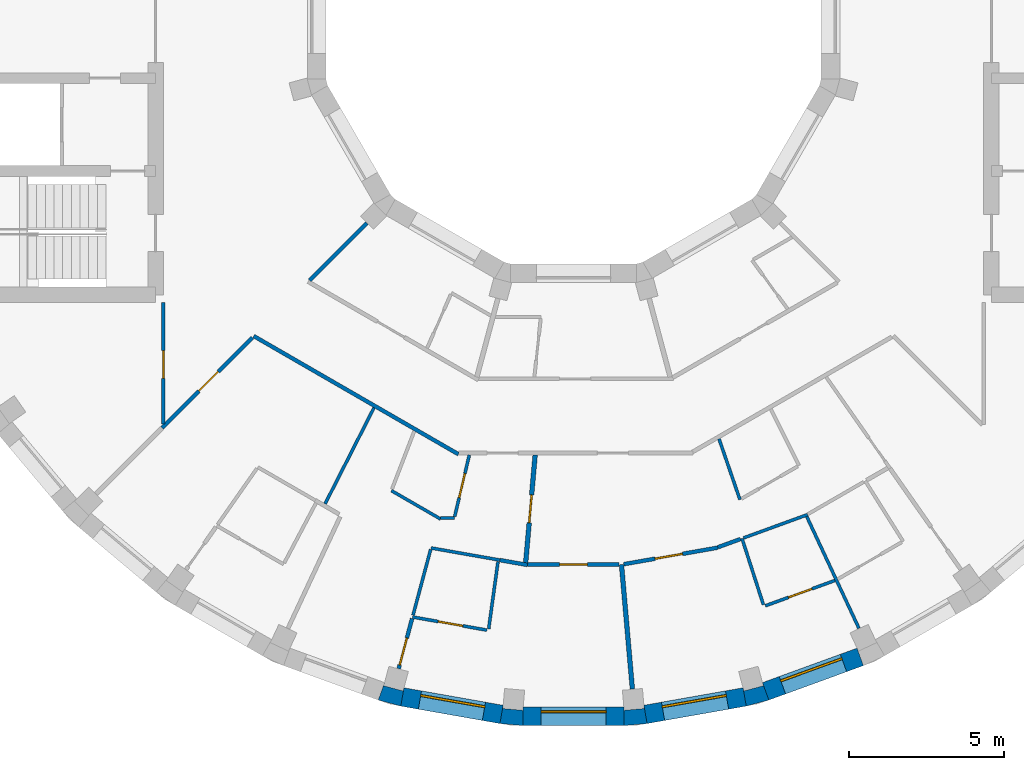
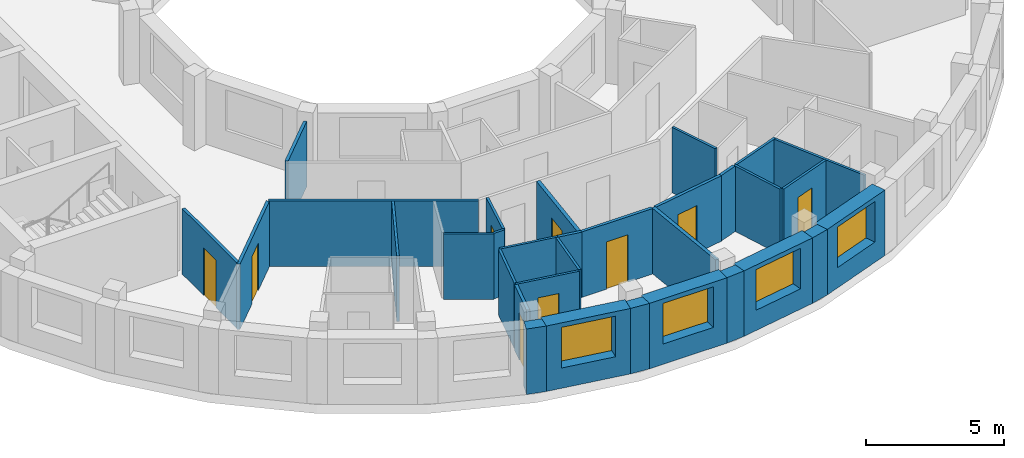
# One storey, part 4 of 12: 32 walls, 9 doors, 4 windows, 13 openings.
"""IFC4 building model written with IfcOpenShell, lengths in metres."""

from ifc_helpers import new_model, si_unit, direction, frame, frame_2d, origin, place, context, subcontext, project, spatial, polyline, rectangle, outline, extrude, material, layer, layer_set, type_object, element, fill, save


model = new_model("IFC4")

# Units and contexts
model_context = context("Model", 3, precision=1e-05, world=origin(), true_north=direction((0.0, 1.0)))
body_context = subcontext(model_context, "Body", "Model", "MODEL_VIEW")
ifc_project = project(units=[si_unit("LENGTHUNIT", "METRE"), si_unit("AREAUNIT", "SQUARE_METRE"), si_unit("VOLUMEUNIT", "CUBIC_METRE"), si_unit("PLANEANGLEUNIT", "RADIAN"), si_unit("MASSUNIT", "GRAM", prefix="KILO")], contexts=[model_context])

# Site, building, storey
site_placement = place(None, origin())
site = spatial("IfcSite", under=ifc_project, at=site_placement, CompositionType="ELEMENT")
building_placement = place(site_placement, origin())
building = spatial("IfcBuilding", under=site, at=building_placement, Name="Saqina Gate Tower", CompositionType="ELEMENT")
storey_placement = place(building_placement, frame((0.0, 0.0, 229.699951171875)))
storey = spatial("IfcBuildingStorey", under=building, at=storey_placement, Name="L65", CompositionType="ELEMENT", Elevation=229.699951171875)

# Walls
ifc_material_1 = material(Name="Brick masonry (buff)", Category="masonry")
wall_type_1 = type_object("IfcWallType", Name="BRICK PIER COPING BUFF", PredefinedType="SOLIDWALL", material=ifc_material_1)
wall_1_placement = place(storey_placement, origin())
element("IfcWall", 1, at=wall_1_placement, inside=storey, type_object=wall_type_1, Name="Pier cap L65 column 26", PredefinedType="SOLIDWALL", context=body_context, shape_type="SweptSolid", body=[
    extrude(outline(polyline([(-5.579833984375, -22.281982421875), (-5.4755859375, -21.691162109375), (-5.5029296875, -21.793212890625), (-6.130859375, -21.625), (-6.103515625, -21.52294921875), (-6.30859375, -22.0869140625), (-5.579833984375, -22.281982421875)])), origin(), (0.0, 0.0, 1.0), 2.900146484375),
])
wall_2_placement = place(storey_placement, origin())
element("IfcWall", 2, at=wall_2_placement, inside=storey, type_object=wall_type_1, Name="Pier cap L65 column 27", PredefinedType="SOLIDWALL", context=body_context, shape_type="SweptSolid", body=[
    extrude(outline(polyline([(-2.377685546875, -22.8466796875), (-1.625732421875, -22.91259765625), (-1.625732421875, -22.3125), (-1.635009765625, -22.417724609375), (-2.28271484375, -22.361083984375), (-2.2734375, -22.255859375), (-2.377685546875, -22.8466796875)])), origin(), (0.0, 0.0, 1.0), 2.900146484375),
])
wall_3_placement = place(storey_placement, origin())
element("IfcWall", 3, at=wall_3_placement, inside=storey, type_object=wall_type_1, Name="Pier cap L65 column 28", PredefinedType="SOLIDWALL", context=body_context, shape_type="SweptSolid", body=[
    extrude(outline(polyline([(1.625732421875, -22.91259765625), (2.377685546875, -22.8466796875), (2.2734375, -22.255859375), (2.28271484375, -22.361083984375), (1.635009765625, -22.417724609375), (1.625732421875, -22.3125), (1.625732421875, -22.91259765625)])), origin(), (0.0, 0.0, 1.0), 2.900146484375),
])
wall_4_placement = place(storey_placement, origin())
element("IfcWall", 4, at=wall_4_placement, inside=storey, type_object=wall_type_1, Name="Pier cap L65 column 29", PredefinedType="SOLIDWALL", context=body_context, shape_type="SweptSolid", body=[
    extrude(outline(polyline([(6.30859375, -22.0869140625), (6.103515625, -21.52294921875), (6.130859375, -21.625), (5.5029296875, -21.793212890625), (5.4755859375, -21.691162109375), (5.579833984375, -22.281982421875), (6.30859375, -22.0869140625)])), origin(), (0.0, 0.0, 1.0), 2.900146484375),
])

# Wall, opening, window
ifc_material_2 = material(Name="Brick masonry (buff)", Category="masonry")
ifc_layer_1 = layer(ifc_material_2, 0.60009765625)
ifc_layer_set_1 = layer_set([ifc_layer_1], Name="FW-BRICK-BUFF")
wall_type_2 = type_object("IfcWallType", Name="FW-BRICK-BUFF", PredefinedType="SOLIDWALL", material=ifc_layer_set_1)
wall_5_placement = place(storey_placement, frame((-5.52783203125, -21.986572265625, 0.0), z_axis=(0.0, 0.0, 1.0), x_axis=(0.984806225186, -0.173656842178, 0.0)))
wall_5 = element("IfcWall", 5, at=wall_5_placement, inside=storey, type_object=wall_type_2, Name="Facade wall L65 facet 26", PredefinedType="SOLIDWALL", context=body_context, shape_type="SweptSolid", body=[
    extrude(rectangle(XDim=3.251708984375, YDim=0.60009765625, at=frame_2d((1.6259765625, 0.0))), origin(), (0.0, 0.0, 1.0), 2.900146484375),
])
opening_1_placement = place(wall_5_placement, frame((0.57568359375, 0.0, 0.89990234375)))
opening_1 = element("IfcOpeningElement", 6, at=opening_1_placement, cuts=wall_5, Name="Opening G19-W15", PredefinedType="OPENING", context=body_context, shape_type="SweptSolid", body=[
    extrude(rectangle(XDim=2.10009765625, YDim=1.800048828125, at=frame_2d((1.050048828125, 0.89990234375))), frame((0.0, 0.31201171875, 0.0), z_axis=(0.0, -1.0, 0.0), x_axis=(1.0, 0.0, 0.0)), (0.0, 0.0, 1.0), 0.6240234375),
])
ifc_material_3 = material(Name="Aluminium glazing", Category="aluminium")
window_type = type_object("IfcWindowType", Name="WN-D", PartitioningType="SINGLE_PANEL", PredefinedType="WINDOW", material=ifc_material_3)
window_1_placement = place(opening_1_placement, origin())
window_1 = element("IfcWindow", 7, at=window_1_placement, inside=storey, type_object=window_type, Name="Window L65 facet 26", OverallHeight=1.800048828125, OverallWidth=2.10009765625, PartitioningType="SINGLE_PANEL", PredefinedType="WINDOW", context=body_context, shape_type="SweptSolid", body=[
    extrude(rectangle(XDim=2.10009765625, YDim=1.800048828125, at=frame_2d((1.050048828125, 0.89990234375))), frame((0.0, 0.179931640625, 0.0), z_axis=(0.0, -1.0, 0.0), x_axis=(1.0, 0.0, 0.0)), (0.0, 0.0, 1.0), 0.06005859375),
])
fill(opening_1, window_1)

wall_6_placement = place(storey_placement, frame((-1.625732421875, -22.612548828125, 0.0), z_axis=(0.0, 0.0, 1.0), x_axis=(1.0, 0.0, 0.0)))
wall_6 = element("IfcWall", 8, at=wall_6_placement, inside=storey, type_object=wall_type_2, Name="Facade wall L65 facet 27", PredefinedType="SOLIDWALL", context=body_context, shape_type="SweptSolid", body=[
    extrude(rectangle(XDim=3.25146484375, YDim=0.60009765625, at=frame_2d((1.625732421875, 0.0))), origin(), (0.0, 0.0, 1.0), 2.900146484375),
])
opening_2_placement = place(wall_6_placement, frame((0.57568359375, 0.0, 0.89990234375)))
opening_2 = element("IfcOpeningElement", 9, at=opening_2_placement, cuts=wall_6, Name="Opening G19-W16", PredefinedType="OPENING", context=body_context, shape_type="SweptSolid", body=[
    extrude(rectangle(XDim=2.10009765625, YDim=1.800048828125, at=frame_2d((1.050048828125, 0.89990234375))), frame((0.0, 0.31201171875, 0.0), z_axis=(0.0, -1.0, 0.0), x_axis=(1.0, 0.0, 0.0)), (0.0, 0.0, 1.0), 0.6240234375),
])
window_2_placement = place(opening_2_placement, origin())
window_2 = element("IfcWindow", 10, at=window_2_placement, inside=storey, type_object=window_type, Name="Window L65 facet 27", OverallHeight=1.800048828125, OverallWidth=2.10009765625, PartitioningType="SINGLE_PANEL", PredefinedType="WINDOW", context=body_context, shape_type="SweptSolid", body=[
    extrude(rectangle(XDim=2.10009765625, YDim=1.800048828125, at=frame_2d((1.050048828125, 0.89990234375))), frame((0.0, 0.179931640625, 0.0), z_axis=(0.0, -1.0, 0.0), x_axis=(1.0, 0.0, 0.0)), (0.0, 0.0, 1.0), 0.06005859375),
])
fill(opening_2, window_2)

wall_7_placement = place(storey_placement, frame((2.325439453125, -22.55126953125, 0.0), z_axis=(0.0, 0.0, 1.0), x_axis=(0.984806225186, 0.173656842178, 0.0)))
wall_7 = element("IfcWall", 11, at=wall_7_placement, inside=storey, type_object=wall_type_2, Name="Facade wall L65 facet 28", PredefinedType="SOLIDWALL", context=body_context, shape_type="SweptSolid", body=[
    extrude(rectangle(XDim=3.251708984375, YDim=0.60009765625, at=frame_2d((1.6259765625, 0.0))), origin(), (0.0, 0.0, 1.0), 2.900146484375),
])
opening_3_placement = place(wall_7_placement, frame((0.57568359375, 0.0, 0.89990234375)))
opening_3 = element("IfcOpeningElement", 12, at=opening_3_placement, cuts=wall_7, Name="Opening G19-W17", PredefinedType="OPENING", context=body_context, shape_type="SweptSolid", body=[
    extrude(rectangle(XDim=2.10009765625, YDim=1.800048828125, at=frame_2d((1.050048828125, 0.89990234375))), frame((0.0, 0.31201171875, 0.0), z_axis=(0.0, -1.0, 0.0), x_axis=(1.0, 0.0, 0.0)), (0.0, 0.0, 1.0), 0.6240234375),
])
window_3_placement = place(opening_3_placement, origin())
window_3 = element("IfcWindow", 13, at=window_3_placement, inside=storey, type_object=window_type, Name="Window L65 facet 28", OverallHeight=1.800048828125, OverallWidth=2.10009765625, PartitioningType="SINGLE_PANEL", PredefinedType="WINDOW", context=body_context, shape_type="SweptSolid", body=[
    extrude(rectangle(XDim=2.10009765625, YDim=1.800048828125, at=frame_2d((1.050048828125, 0.89990234375))), frame((0.0, 0.179931640625, 0.0), z_axis=(0.0, -1.0, 0.0), x_axis=(1.0, 0.0, 0.0)), (0.0, 0.0, 1.0), 0.06005859375),
])
fill(opening_3, window_3)

wall_8_placement = place(storey_placement, frame((6.2060546875, -21.804931640625, 0.0), z_axis=(0.0, 0.0, 1.0), x_axis=(0.939679383794, 0.342056509473, 0.0)))
wall_8 = element("IfcWall", 14, at=wall_8_placement, inside=storey, type_object=wall_type_2, Name="Facade wall L65 facet 29", PredefinedType="SOLIDWALL", context=body_context, shape_type="SweptSolid", body=[
    extrude(rectangle(XDim=3.251708984375, YDim=0.60009765625, at=frame_2d((1.6259765625, 0.0))), origin(), (0.0, 0.0, 1.0), 2.900146484375),
])
opening_4_placement = place(wall_8_placement, frame((0.57568359375, 0.0, 0.89990234375)))
opening_4 = element("IfcOpeningElement", 15, at=opening_4_placement, cuts=wall_8, Name="Opening G19-W18", PredefinedType="OPENING", context=body_context, shape_type="SweptSolid", body=[
    extrude(rectangle(XDim=2.10009765625, YDim=1.800048828125, at=frame_2d((1.050048828125, 0.89990234375))), frame((0.0, 0.31201171875, 0.0), z_axis=(0.0, -1.0, 0.0), x_axis=(1.0, 0.0, 0.0)), (0.0, 0.0, 1.0), 0.6240234375),
])
window_4_placement = place(opening_4_placement, origin())
window_4 = element("IfcWindow", 16, at=window_4_placement, inside=storey, type_object=window_type, Name="Window L65 facet 29", OverallHeight=1.800048828125, OverallWidth=2.10009765625, PartitioningType="SINGLE_PANEL", PredefinedType="WINDOW", context=body_context, shape_type="SweptSolid", body=[
    extrude(rectangle(XDim=2.10009765625, YDim=1.800048828125, at=frame_2d((1.050048828125, 0.89990234375))), frame((0.0, 0.179931640625, 0.0), z_axis=(0.0, -1.0, 0.0), x_axis=(1.0, 0.0, 0.0)), (0.0, 0.0, 1.0), 0.06005859375),
])
fill(opening_4, window_4)

# Walls
ifc_material_4 = material(Name="Gypsum board on steel studs, 100 mm", Category="steel")
ifc_layer_2 = layer(ifc_material_4, 0.10009765625)
ifc_layer_set_2 = layer_set([ifc_layer_2], Name="PARTITION 100")
wall_type_3 = type_object("IfcWallType", Name="PARTITION 100", PredefinedType="PARTITIONING", material=ifc_layer_set_2)
wall_9_placement = place(storey_placement, frame((5.443115234375, -16.867919921875, 0.0), z_axis=(0.0, 0.0, 1.0), x_axis=(0.307034478859, -0.951698391714, 0.0)))
element("IfcWall", 17, at=wall_9_placement, inside=storey, type_object=wall_type_3, Name="PARTITION PW3-03", PredefinedType="PARTITIONING", context=body_context, shape_type="SweptSolid", body=[
    extrude(rectangle(XDim=2.250244140625, YDim=0.10009765625, at=frame_2d((1.125, 0.0))), origin(), (0.0, 0.0, 1.0), 2.900146484375),
])
wall_10_placement = place(storey_placement, frame((4.700439453125, -13.650146484375, 0.0), z_axis=(0.0, 0.0, 1.0), x_axis=(0.325276885577, -0.945618817341, 0.0)))
element("IfcWall", 18, at=wall_10_placement, inside=storey, type_object=wall_type_3, Name="PARTITION PW3-04", PredefinedType="PARTITIONING", context=body_context, shape_type="SweptSolid", body=[
    extrude(rectangle(XDim=2.076904296875, YDim=0.10009765625, at=frame_2d((1.03857421875, 0.0))), origin(), (0.0, 0.0, 1.0), 2.900146484375),
])
wall_11_placement = place(storey_placement, frame((7.533935546875, -16.159912109375, 0.0), z_axis=(0.0, 0.0, 1.0), x_axis=(0.423136981181, -0.90606572342, 0.0)))
element("IfcWall", 19, at=wall_11_placement, inside=storey, type_object=wall_type_3, Name="PARTITION PW3-06", PredefinedType="PARTITIONING", context=body_context, shape_type="SweptSolid", body=[
    extrude(rectangle(XDim=3.985107421875, YDim=0.10009765625, at=frame_2d((1.99267578125, 0.0))), origin(), (0.0, 0.0, 1.0), 2.900146484375),
])
wall_12_placement = place(storey_placement, frame((-5.881103515625, -15.322509765625, 0.0), z_axis=(0.0, 0.0, 1.0), x_axis=(0.86600600509, -0.50003359802, 0.0)))
element("IfcWall", 20, at=wall_12_placement, inside=storey, type_object=wall_type_3, Name="PARTITION PW3-15", PredefinedType="PARTITIONING", context=body_context, shape_type="SweptSolid", body=[
    extrude(rectangle(XDim=1.833740234375, YDim=0.10009765625, at=frame_2d((0.9169921875, 0.0))), origin(), (0.0, 0.0, 1.0), 2.900146484375),
])

# Wall, opening, door
wall_13_placement = place(storey_placement, frame((-5.198974609375, -19.404052734375, 0.0), z_axis=(0.0, 0.0, 1.0), x_axis=(0.984768439557, -0.173870987956, 0.0)))
wall_13 = element("IfcWall", 21, at=wall_13_placement, inside=storey, type_object=wall_type_3, Name="PARTITION PW3-21", PredefinedType="PARTITIONING", context=body_context, shape_type="SweptSolid", body=[
    extrude(rectangle(XDim=2.43896484375, YDim=0.10009765625, at=frame_2d((1.219482421875, 0.0))), origin(), (0.0, 0.0, 1.0), 2.900146484375),
])
opening_5_placement = place(wall_13_placement, frame((0.843994140625, 0.0, 0.0)))
opening_5 = element("IfcOpeningElement", 22, at=opening_5_placement, cuts=wall_13, Name="Opening G19-D30", PredefinedType="OPENING", context=body_context, shape_type="SweptSolid", body=[
    extrude(rectangle(XDim=0.800048828125, YDim=2.10009765625, at=frame_2d((0.39990234375, 1.050048828125))), frame((0.0, 0.06201171875, 0.0), z_axis=(0.0, -1.0, 0.0), x_axis=(1.0, 0.0, 0.0)), (0.0, 0.0, 1.0), 0.1240234375),
])
ifc_material_5 = material(Name="Timber door leaf, 800 mm", Category="wood")
door_type_1 = type_object("IfcDoorType", Name="DOOR 800 TIMBER", OperationType="SINGLE_SWING_LEFT", PredefinedType="DOOR", material=ifc_material_5)
door_1_placement = place(opening_5_placement, frame((0.800048828125, 0.0, 0.0), z_axis=(0.0, 0.0, 1.0), x_axis=(-1.0, 0.0, 0.0)))
door_1 = element("IfcDoor", 23, at=door_1_placement, inside=storey, type_object=door_type_1, Name="DOOR G19-D30", OperationType="SINGLE_SWING_LEFT", OverallHeight=2.10009765625, OverallWidth=0.800048828125, PredefinedType="DOOR", context=body_context, shape_type="SweptSolid", body=[
    extrude(rectangle(XDim=0.800048828125, YDim=2.10009765625, at=frame_2d((0.39990234375, 1.050048828125))), frame((0.0, 0.02490234375, 0.0), z_axis=(0.0, -1.0, 0.0), x_axis=(1.0, 0.0, 0.0)), (0.0, 0.0, 1.0), 0.050048828125),
])
fill(opening_5, door_1)

# Walls
wall_14_placement = place(storey_placement, frame((-4.60107421875, -17.174072265625, 0.0), z_axis=(0.0, 0.0, 1.0), x_axis=(0.984785740028, -0.173772973268, 0.0)))
element("IfcWall", 24, at=wall_14_placement, inside=storey, type_object=wall_type_3, Name="PARTITION PW3-22", PredefinedType="PARTITIONING", context=body_context, shape_type="SweptSolid", body=[
    extrude(rectangle(XDim=2.25341796875, YDim=0.10009765625, at=frame_2d((1.126708984375, 0.0))), origin(), (0.0, 0.0, 1.0), 2.900146484375),
])
wall_15_placement = place(storey_placement, frame((-4.29296875, -16.2099609375, 0.0), z_axis=(0.0, 0.0, 1.0), x_axis=(1.0, 0.0, 0.0)))
element("IfcWall", 25, at=wall_15_placement, inside=storey, type_object=wall_type_3, Name="PARTITION PW3-25", PredefinedType="PARTITIONING", context=body_context, shape_type="SweptSolid", body=[
    extrude(rectangle(XDim=0.44091796875, YDim=0.10009765625, at=frame_2d((0.220458984375, 0.0))), origin(), (0.0, 0.0, 1.0), 2.900146484375),
])

# Wall, opening, door
wall_16_placement = place(storey_placement, frame((6.197021484375, -19.0419921875, 0.0), z_axis=(0.0, 0.0, 1.0), x_axis=(0.939644231496, 0.342153062556, 0.0)))
wall_16 = element("IfcWall", 26, at=wall_16_placement, inside=storey, type_object=wall_type_3, Name="PARTITION PW3-31", PredefinedType="PARTITIONING", context=body_context, shape_type="SweptSolid", body=[
    extrude(rectangle(XDim=2.390380859375, YDim=0.10009765625, at=frame_2d((1.1953125, 0.0))), origin(), (0.0, 0.0, 1.0), 2.900146484375),
])
opening_6_placement = place(wall_16_placement, frame((0.7958984375, 0.0, 0.0)))
opening_6 = element("IfcOpeningElement", 27, at=opening_6_placement, cuts=wall_16, Name="Opening G19-D38", PredefinedType="OPENING", context=body_context, shape_type="SweptSolid", body=[
    extrude(rectangle(XDim=0.800048828125, YDim=2.10009765625, at=frame_2d((0.39990234375, 1.050048828125))), frame((0.0, 0.06201171875, 0.0), z_axis=(0.0, -1.0, 0.0), x_axis=(1.0, 0.0, 0.0)), (0.0, 0.0, 1.0), 0.1240234375),
])
door_2_placement = place(opening_6_placement, frame((0.800048828125, 0.0, 0.0), z_axis=(0.0, 0.0, 1.0), x_axis=(-1.0, 0.0, 0.0)))
door_2 = element("IfcDoor", 28, at=door_2_placement, inside=storey, type_object=door_type_1, Name="DOOR G19-D38", OperationType="SINGLE_SWING_LEFT", OverallHeight=2.10009765625, OverallWidth=0.800048828125, PredefinedType="DOOR", context=body_context, shape_type="SweptSolid", body=[
    extrude(rectangle(XDim=0.800048828125, YDim=2.10009765625, at=frame_2d((0.39990234375, 1.050048828125))), frame((0.0, 0.02490234375, 0.0), z_axis=(0.0, -1.0, 0.0), x_axis=(1.0, 0.0, 0.0)), (0.0, 0.0, 1.0), 0.050048828125),
])
fill(opening_6, door_2)

# Walls
wall_17_placement = place(storey_placement, frame((5.489990234375, -16.850830078125, 0.0), z_axis=(0.0, 0.0, 1.0), x_axis=(0.939680214162, 0.342054228323, 0.0)))
element("IfcWall", 29, at=wall_17_placement, inside=storey, type_object=wall_type_3, Name="PARTITION PW3-32", PredefinedType="PARTITIONING", context=body_context, shape_type="SweptSolid", body=[
    extrude(rectangle(XDim=2.204833984375, YDim=0.10009765625, at=frame_2d((1.1025390625, 0.0))), origin(), (0.0, 0.0, 1.0), 2.900146484375),
])
wall_18_placement = place(storey_placement, frame((-8.023681640625, -15.747314453125, 0.0), z_axis=(0.0, 0.0, 1.0), x_axis=(0.453766079843, 0.891120836242, 0.0)))
element("IfcWall", 30, at=wall_18_placement, inside=storey, type_object=wall_type_3, Name="PARTITION PW3-43", PredefinedType="PARTITIONING", context=body_context, shape_type="SweptSolid", body=[
    extrude(rectangle(XDim=3.48095703125, YDim=0.10009765625, at=frame_2d((1.740478515625, 0.0))), origin(), (0.0, 0.0, 1.0), 2.900146484375),
])
wall_19_placement = place(storey_placement, frame((-5.18310546875, -19.343505859375, 0.0), z_axis=(0.0, 0.0, 1.0), x_axis=(0.258825000964, 0.965924230401, 0.0)))
element("IfcWall", 31, at=wall_19_placement, inside=storey, type_object=wall_type_3, Name="PARTITION PW3-48", PredefinedType="PARTITIONING", context=body_context, shape_type="SweptSolid", body=[
    extrude(rectangle(XDim=2.19580078125, YDim=0.10009765625, at=frame_2d((1.097900390625, 0.0))), origin(), (0.0, 0.0, 1.0), 2.900146484375),
])

# Wall, opening, door
wall_20_placement = place(storey_placement, frame((-3.8388671875, -16.1611328125, 0.0), z_axis=(0.0, 0.0, 1.0), x_axis=(0.231512969314, 0.972831817448, 0.0)))
wall_20 = element("IfcWall", 32, at=wall_20_placement, inside=storey, type_object=wall_type_3, Name="PARTITION PW3-50", PredefinedType="PARTITIONING", context=body_context, shape_type="SweptSolid", body=[
    extrude(rectangle(XDim=2.0458984375, YDim=0.10009765625, at=frame_2d((1.02294921875, 0.0))), origin(), (0.0, 0.0, 1.0), 2.900146484375),
])
opening_7_placement = place(wall_20_placement, frame((0.629638671875, 0.0, 0.0)))
opening_7 = element("IfcOpeningElement", 33, at=opening_7_placement, cuts=wall_20, Name="Opening G19-D29", PredefinedType="OPENING", context=body_context, shape_type="SweptSolid", body=[
    extrude(rectangle(XDim=0.800048828125, YDim=2.10009765625, at=frame_2d((0.39990234375, 1.050048828125))), frame((0.0, 0.06201171875, 0.0), z_axis=(0.0, -1.0, 0.0), x_axis=(1.0, 0.0, 0.0)), (0.0, 0.0, 1.0), 0.1240234375),
])
door_3_placement = place(opening_7_placement, frame((0.800048828125, 0.0, 0.0), z_axis=(0.0, 0.0, 1.0), x_axis=(-1.0, 0.0, 0.0)))
door_3 = element("IfcDoor", 34, at=door_3_placement, inside=storey, type_object=door_type_1, Name="DOOR G19-D29", OperationType="SINGLE_SWING_LEFT", OverallHeight=2.10009765625, OverallWidth=0.800048828125, PredefinedType="DOOR", context=body_context, shape_type="SweptSolid", body=[
    extrude(rectangle(XDim=0.800048828125, YDim=2.10009765625, at=frame_2d((0.39990234375, 1.050048828125))), frame((0.0, 0.02490234375, 0.0), z_axis=(0.0, -1.0, 0.0), x_axis=(1.0, 0.0, 0.0)), (0.0, 0.0, 1.0), 0.050048828125),
])
fill(opening_7, door_3)

# Walls
wall_21_placement = place(storey_placement, frame((-2.740478515625, -19.787353515625, 0.0), z_axis=(0.0, 0.0, 1.0), x_axis=(0.137501510902, 0.990501557041, 0.0)))
element("IfcWall", 35, at=wall_21_placement, inside=storey, type_object=wall_type_3, Name="PARTITION PW3-52", PredefinedType="PARTITIONING", context=body_context, shape_type="SweptSolid", body=[
    extrude(rectangle(XDim=2.189208984375, YDim=0.10009765625, at=frame_2d((1.0947265625, 0.0))), origin(), (0.0, 0.0, 1.0), 2.900146484375),
])
ifc_material_6 = material(Name="Gypsum board on steel studs, 125 mm, fire rated", Category="steel")
ifc_layer_3 = layer(ifc_material_6, 0.125)
ifc_layer_set_3 = layer_set([ifc_layer_3], Name="PARTITION EI 30 125")
wall_type_4 = type_object("IfcWallType", Name="PARTITION EI 30 125", PredefinedType="PARTITIONING", material=ifc_layer_set_3)
wall_22_placement = place(storey_placement, frame((-10.3291015625, -10.3291015625, 0.0), z_axis=(0.0, 0.0, 1.0), x_axis=(0.866010352672, -0.500026068385, 0.0)))
element("IfcWall", 36, at=wall_22_placement, inside=storey, type_object=wall_type_4, Name="PARTITION PW1-09", PredefinedType="PARTITIONING", context=body_context, shape_type="SweptSolid", body=[
    extrude(rectangle(XDim=7.63330078125, YDim=0.125, at=frame_2d((3.816650390625, 0.0))), origin(), (0.0, 0.0, 1.0), 2.900146484375),
])
wall_23_placement = place(storey_placement, frame((-2.3818359375, -17.565673828125, 0.0), z_axis=(0.0, 0.0, 1.0), x_axis=(0.984894337211, -0.17315641637, 0.0)))
element("IfcWall", 37, at=wall_23_placement, inside=storey, type_object=wall_type_4, Name="PARTITION PW1-15", PredefinedType="PARTITIONING", context=body_context, shape_type="SweptSolid", body=[
    extrude(rectangle(XDim=0.907958984375, YDim=0.125, at=frame_2d((0.4541015625, 0.0))), origin(), (0.0, 0.0, 1.0), 2.900146484375),
])

# Wall, opening, door
wall_24_placement = place(storey_placement, frame((-1.487548828125, -17.7119140625, 0.0), z_axis=(0.0, 0.0, 1.0), x_axis=(1.0, 0.0, 0.0)))
wall_24 = element("IfcWall", 38, at=wall_24_placement, inside=storey, type_object=wall_type_4, Name="PARTITION PW1-16", PredefinedType="PARTITIONING", context=body_context, shape_type="SweptSolid", body=[
    extrude(rectangle(XDim=2.961669921875, YDim=0.125, at=frame_2d((1.48095703125, 0.0))), origin(), (0.0, 0.0, 1.0), 2.900146484375),
])
opening_8_placement = place(wall_24_placement, frame((1.037109375, 0.0, 0.0)))
opening_8 = element("IfcOpeningElement", 39, at=opening_8_placement, cuts=wall_24, Name="Opening G19-D34", PredefinedType="OPENING", context=body_context, shape_type="SweptSolid", body=[
    extrude(rectangle(XDim=0.89990234375, YDim=2.10009765625, at=frame_2d((0.449951171875, 1.050048828125))), frame((0.0, 0.074462890625, 0.0), z_axis=(0.0, -1.0, 0.0), x_axis=(1.0, 0.0, 0.0)), (0.0, 0.0, 1.0), 0.14892578125),
])
ifc_material_7 = material(Name="Fire door leaf EI 30, 900 mm")
door_type_2 = type_object("IfcDoorType", Name="DOOR 900 EI 30", OperationType="SINGLE_SWING_LEFT", PredefinedType="DOOR", material=ifc_material_7)
door_4_placement = place(opening_8_placement, origin())
door_4 = element("IfcDoor", 40, at=door_4_placement, inside=storey, type_object=door_type_2, Name="DOOR G19-D34", OperationType="SINGLE_SWING_RIGHT", OverallHeight=2.10009765625, OverallWidth=0.89990234375, PredefinedType="DOOR", context=body_context, shape_type="SweptSolid", body=[
    extrude(rectangle(XDim=0.89990234375, YDim=2.10009765625, at=frame_2d((0.449951171875, 1.050048828125))), frame((0.0, 0.02490234375, 0.0), z_axis=(0.0, -1.0, 0.0), x_axis=(1.0, 0.0, 0.0)), (0.0, 0.0, 1.0), 0.050048828125),
])
fill(opening_8, door_4)

wall_25_placement = place(storey_placement, frame((1.623779296875, -17.69873046875, 0.0), z_axis=(0.0, 0.0, 1.0), x_axis=(0.98485035276, 0.17340640896, 0.0)))
wall_25 = element("IfcWall", 41, at=wall_25_placement, inside=storey, type_object=wall_type_4, Name="PARTITION PW1-21", PredefinedType="PARTITIONING", context=body_context, shape_type="SweptSolid", body=[
    extrude(rectangle(XDim=3.087646484375, YDim=0.125, at=frame_2d((1.5439453125, 0.0))), origin(), (0.0, 0.0, 1.0), 2.900146484375),
])
opening_9_placement = place(wall_25_placement, frame((1.0244140625, 0.0, 0.0)))
opening_9 = element("IfcOpeningElement", 42, at=opening_9_placement, cuts=wall_25, Name="Opening G19-D37", PredefinedType="OPENING", context=body_context, shape_type="SweptSolid", body=[
    extrude(rectangle(XDim=0.89990234375, YDim=2.10009765625, at=frame_2d((0.449951171875, 1.050048828125))), frame((0.0, 0.074462890625, 0.0), z_axis=(0.0, -1.0, 0.0), x_axis=(1.0, 0.0, 0.0)), (0.0, 0.0, 1.0), 0.14892578125),
])
door_5_placement = place(opening_9_placement, origin())
door_5 = element("IfcDoor", 43, at=door_5_placement, inside=storey, type_object=door_type_2, Name="DOOR G19-D37", OperationType="SINGLE_SWING_LEFT", OverallHeight=2.10009765625, OverallWidth=0.89990234375, PredefinedType="DOOR", context=body_context, shape_type="SweptSolid", body=[
    extrude(rectangle(XDim=0.89990234375, YDim=2.10009765625, at=frame_2d((0.449951171875, 1.050048828125))), frame((0.0, 0.02490234375, 0.0), z_axis=(0.0, -1.0, 0.0), x_axis=(1.0, 0.0, 0.0)), (0.0, 0.0, 1.0), 0.050048828125),
])
fill(opening_9, door_5)

# Wall
wall_26_placement = place(storey_placement, frame((4.66064453125, -17.152587890625, 0.0), z_axis=(0.0, 0.0, 1.0), x_axis=(0.93962024549, 0.342218927391, 0.0)))
element("IfcWall", 44, at=wall_26_placement, inside=storey, type_object=wall_type_4, Name="PARTITION PW1-23", PredefinedType="PARTITIONING", context=body_context, shape_type="SweptSolid", body=[
    extrude(rectangle(XDim=0.78271484375, YDim=0.125, at=frame_2d((0.391357421875, 0.0))), origin(), (0.0, 0.0, 1.0), 2.900146484375),
])

# Wall, opening, door
wall_27_placement = place(storey_placement, frame((-13.294189453125, -13.294189453125, 0.0), z_axis=(0.0, 0.0, 1.0), x_axis=(0.707106781187, 0.707106781187, 0.0)))
wall_27 = element("IfcWall", 45, at=wall_27_placement, inside=storey, type_object=wall_type_4, Name="PARTITION PW1-29", PredefinedType="PARTITIONING", context=body_context, shape_type="SweptSolid", body=[
    extrude(rectangle(XDim=4.130859375, YDim=0.125, at=frame_2d((2.0654296875, 0.0))), origin(), (0.0, 0.0, 1.0), 2.900146484375),
])
opening_10_placement = place(wall_27_placement, frame((1.677978515625, 0.0, 0.0)))
opening_10 = element("IfcOpeningElement", 46, at=opening_10_placement, cuts=wall_27, Name="Opening G19-D23", PredefinedType="OPENING", context=body_context, shape_type="SweptSolid", body=[
    extrude(rectangle(XDim=0.89990234375, YDim=2.10009765625, at=frame_2d((0.449951171875, 1.050048828125))), frame((0.0, 0.074462890625, 0.0), z_axis=(0.0, -1.0, 0.0), x_axis=(1.0, 0.0, 0.0)), (0.0, 0.0, 1.0), 0.14892578125),
])
door_6_placement = place(opening_10_placement, frame((0.89990234375, 0.0, 0.0), z_axis=(0.0, 0.0, 1.0), x_axis=(-1.0, 0.0, 0.0)))
door_6 = element("IfcDoor", 47, at=door_6_placement, inside=storey, type_object=door_type_2, Name="DOOR G19-D23", OperationType="SINGLE_SWING_LEFT", OverallHeight=2.10009765625, OverallWidth=0.89990234375, PredefinedType="DOOR", context=body_context, shape_type="SweptSolid", body=[
    extrude(rectangle(XDim=0.89990234375, YDim=2.10009765625, at=frame_2d((0.449951171875, 1.050048828125))), frame((0.0, 0.02490234375, 0.0), z_axis=(0.0, -1.0, 0.0), x_axis=(1.0, 0.0, 0.0)), (0.0, 0.0, 1.0), 0.050048828125),
])
fill(opening_10, door_6)

# Wall
wall_28_placement = place(storey_placement, frame((-8.52783203125, -8.52783203125, 0.0), z_axis=(0.0, 0.0, 1.0), x_axis=(0.707106781187, 0.707106781187, 0.0)))
element("IfcWall", 48, at=wall_28_placement, inside=storey, type_object=wall_type_4, Name="PARTITION PW1-30", PredefinedType="PARTITIONING", context=body_context, shape_type="SweptSolid", body=[
    extrude(rectangle(XDim=2.617919921875, YDim=0.125, at=frame_2d((1.30908203125, 0.0))), origin(), (0.0, 0.0, 1.0), 2.900146484375),
])

# Wall, opening, door
wall_29_placement = place(storey_placement, frame((-5.646484375, -21.071533203125, 0.0), z_axis=(0.0, 0.0, 1.0), x_axis=(0.258469191294, 0.966019501434, 0.0)))
wall_29 = element("IfcWall", 49, at=wall_29_placement, inside=storey, type_object=wall_type_4, Name="PARTITION PW1-37", PredefinedType="PARTITIONING", context=body_context, shape_type="SweptSolid", body=[
    extrude(rectangle(XDim=1.676513671875, YDim=0.125, at=frame_2d((0.83837890625, 0.0))), origin(), (0.0, 0.0, 1.0), 2.900146484375),
])
opening_11_placement = place(wall_29_placement, frame((0.122314453125, 0.0, 0.0)))
opening_11 = element("IfcOpeningElement", 50, at=opening_11_placement, cuts=wall_29, Name="Opening G19-D28", PredefinedType="OPENING", context=body_context, shape_type="SweptSolid", body=[
    extrude(rectangle(XDim=0.89990234375, YDim=2.10009765625, at=frame_2d((0.449951171875, 1.050048828125))), frame((0.0, 0.074462890625, 0.0), z_axis=(0.0, -1.0, 0.0), x_axis=(1.0, 0.0, 0.0)), (0.0, 0.0, 1.0), 0.14892578125),
])
door_7_placement = place(opening_11_placement, origin())
door_7 = element("IfcDoor", 51, at=door_7_placement, inside=storey, type_object=door_type_2, Name="DOOR G19-D28", OperationType="SINGLE_SWING_LEFT", OverallHeight=2.10009765625, OverallWidth=0.89990234375, PredefinedType="DOOR", context=body_context, shape_type="SweptSolid", body=[
    extrude(rectangle(XDim=0.89990234375, YDim=2.10009765625, at=frame_2d((0.449951171875, 1.050048828125))), frame((0.0, 0.02490234375, 0.0), z_axis=(0.0, -1.0, 0.0), x_axis=(1.0, 0.0, 0.0)), (0.0, 0.0, 1.0), 0.050048828125),
])
fill(opening_11, door_7)

wall_30_placement = place(storey_placement, frame((-13.25, -13.175048828125, 0.0), z_axis=(0.0, 0.0, 1.0), x_axis=(0.0, 1.0, 0.0)))
wall_30 = element("IfcWall", 52, at=wall_30_placement, inside=storey, type_object=wall_type_4, Name="PARTITION PW1-42", PredefinedType="PARTITIONING", context=body_context, shape_type="SweptSolid", body=[
    extrude(rectangle(XDim=3.925048828125, YDim=0.125, at=frame_2d((1.96240234375, 0.0))), origin(), (0.0, 0.0, 1.0), 2.900146484375),
])
opening_12_placement = place(wall_30_placement, frame((1.47509765625, 0.0, 0.0)))
opening_12 = element("IfcOpeningElement", 53, at=opening_12_placement, cuts=wall_30, Name="Opening G19-D22", PredefinedType="OPENING", context=body_context, shape_type="SweptSolid", body=[
    extrude(rectangle(XDim=0.89990234375, YDim=2.10009765625, at=frame_2d((0.449951171875, 1.050048828125))), frame((0.0, 0.074462890625, 0.0), z_axis=(0.0, -1.0, 0.0), x_axis=(1.0, 0.0, 0.0)), (0.0, 0.0, 1.0), 0.14892578125),
])
door_8_placement = place(opening_12_placement, origin())
door_8 = element("IfcDoor", 54, at=door_8_placement, inside=storey, type_object=door_type_2, Name="DOOR G19-D22", OperationType="SINGLE_SWING_LEFT", OverallHeight=2.10009765625, OverallWidth=0.89990234375, PredefinedType="DOOR", context=body_context, shape_type="SweptSolid", body=[
    extrude(rectangle(XDim=0.89990234375, YDim=2.10009765625, at=frame_2d((0.449951171875, 1.050048828125))), frame((0.0, 0.02490234375, 0.0), z_axis=(0.0, -1.0, 0.0), x_axis=(1.0, 0.0, 0.0)), (0.0, 0.0, 1.0), 0.050048828125),
])
fill(opening_12, door_8)

# Wall
ifc_material_8 = material(Name="Gypsum board on steel studs, 150 mm, fire rated", Category="steel")
ifc_layer_4 = layer(ifc_material_8, 0.14990234375)
ifc_layer_set_4 = layer_set([ifc_layer_4], Name="PARTITION EI 60 150")
wall_type_5 = type_object("IfcWallType", Name="PARTITION EI 60 150", PredefinedType="PARTITIONING", material=ifc_layer_set_4)
wall_31_placement = place(storey_placement, frame((1.5498046875, -17.7119140625, 0.0), z_axis=(0.0, 0.0, 1.0), x_axis=(0.087120418717, -0.996197787913, 0.0)))
element("IfcWall", 55, at=wall_31_placement, inside=storey, type_object=wall_type_5, Name="PARTITION PW2-01", PredefinedType="PARTITIONING", context=body_context, shape_type="SweptSolid", body=[
    extrude(rectangle(XDim=4.035400390625, YDim=0.14990234375, at=frame_2d((2.017578125, 0.0))), origin(), (0.0, 0.0, 1.0), 2.900146484375),
])

# Wall, opening, door
wall_32_placement = place(storey_placement, frame((-1.544921875, -17.649658203125, 0.0), z_axis=(0.0, 0.0, 1.0), x_axis=(0.087495771856, 0.996164890923, 0.0)))
wall_32 = element("IfcWall", 56, at=wall_32_placement, inside=storey, type_object=wall_type_5, Name="PARTITION PW2-11", PredefinedType="PARTITIONING", context=body_context, shape_type="SweptSolid", body=[
    extrude(rectangle(XDim=3.49072265625, YDim=0.14990234375, at=frame_2d((1.745361328125, 0.0))), origin(), (0.0, 0.0, 1.0), 2.900146484375),
])
opening_13_placement = place(wall_32_placement, frame((1.2958984375, 0.0, 0.0)))
opening_13 = element("IfcOpeningElement", 57, at=opening_13_placement, cuts=wall_32, Name="Opening G19-D33", PredefinedType="OPENING", context=body_context, shape_type="SweptSolid", body=[
    extrude(rectangle(XDim=0.89990234375, YDim=2.10009765625, at=frame_2d((0.449951171875, 1.050048828125))), frame((0.0, 0.0869140625, 0.0), z_axis=(0.0, -1.0, 0.0), x_axis=(1.0, 0.0, 0.0)), (0.0, 0.0, 1.0), 0.173828125),
])
door_9_placement = place(opening_13_placement, frame((0.89990234375, 0.0, 0.0), z_axis=(0.0, 0.0, 1.0), x_axis=(-1.0, 0.0, 0.0)))
door_9 = element("IfcDoor", 58, at=door_9_placement, inside=storey, type_object=door_type_2, Name="DOOR G19-D33", OperationType="SINGLE_SWING_LEFT", OverallHeight=2.10009765625, OverallWidth=0.89990234375, PredefinedType="DOOR", context=body_context, shape_type="SweptSolid", body=[
    extrude(rectangle(XDim=0.89990234375, YDim=2.10009765625, at=frame_2d((0.449951171875, 1.050048828125))), frame((0.0, 0.02490234375, 0.0), z_axis=(0.0, -1.0, 0.0), x_axis=(1.0, 0.0, 0.0)), (0.0, 0.0, 1.0), 0.050048828125),
])
fill(opening_13, door_9)

save(model, "model.ifc")
